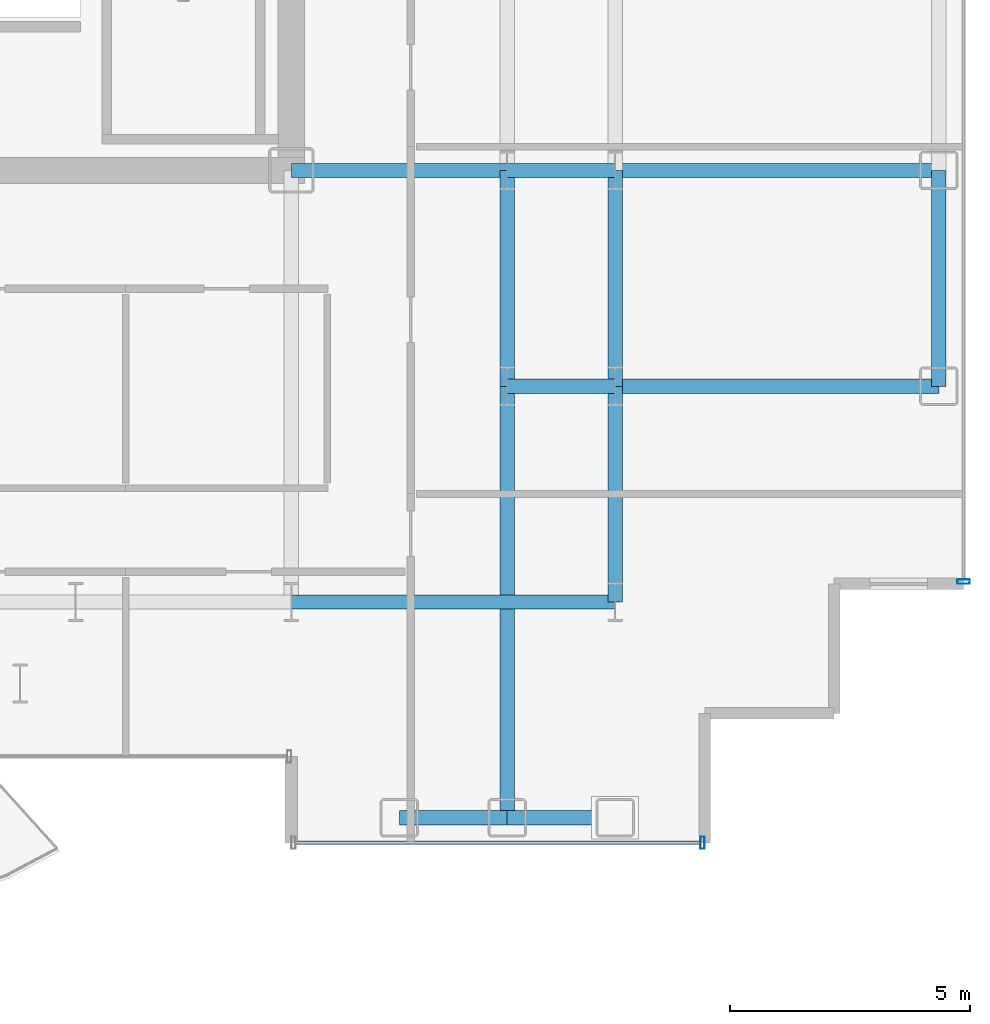
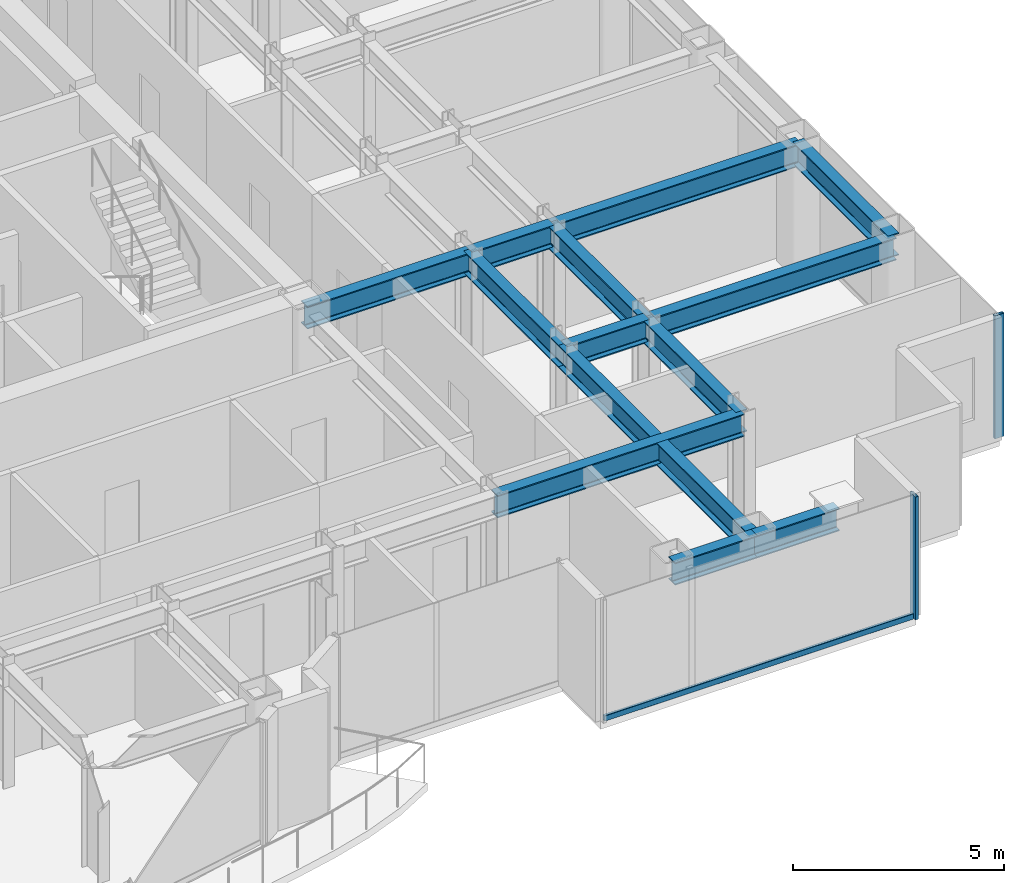
# One storey, part 8 of 22: 13 beams, 3 members, 2 elements without a shape of their own.
"""IFC4 building model written with IfcOpenShell, lengths in metres."""

from ifc_helpers import new_model, si_unit, direction, frame, origin, origin_2d, place, context, subcontext, project, spatial, hollow_rectangle, i_section, extrude, source, transform, mapped, material, layer, layer_set, material_profile, profile_set, type_object, element, aggregate, save


model = new_model("IFC4")

# Units and contexts
model_context = context("Model", 3, precision=1e-05, world=origin(), true_north=direction((0.0, 1.0)))
body_context = subcontext(model_context, "Body", "Model", "MODEL_VIEW")
ifc_project = project(units=[si_unit("LENGTHUNIT", "METRE"), si_unit("AREAUNIT", "SQUARE_METRE"), si_unit("VOLUMEUNIT", "CUBIC_METRE"), si_unit("PLANEANGLEUNIT", "RADIAN"), si_unit("MASSUNIT", "GRAM", prefix="KILO")], contexts=[model_context])

# Site, building, storey
site_placement = place(None, origin())
site = spatial("IfcSite", under=ifc_project, at=site_placement, CompositionType="ELEMENT")
building_placement = place(site_placement, origin())
building = spatial("IfcBuilding", under=site, at=building_placement, Name="Nefas-Gora Pilgrimage Tower", CompositionType="ELEMENT")
storey_placement = place(building_placement, frame((0.0, 0.0, 179.199951171875)))
storey = spatial("IfcBuildingStorey", under=building, at=storey_placement, Name="L44", CompositionType="ELEMENT", Elevation=179.199951171875)

# Beams
ifc_material_1 = material(Name="Steel S355", Category="steel")
ifc_material_profile_1 = material_profile(ifc_material_1, i_section(OverallWidth=0.300048828125, OverallDepth=0.64990234375, WebThickness=0.01611328125, FlangeThickness=0.031005859375, FilletRadius=0.027099609375, at=origin_2d()), Name="HEB 650")
ifc_profile_set_1 = profile_set([ifc_material_profile_1], Name="Steel S355")
beam_type_1 = type_object("IfcBeamType", Name="BM-SPN-HEB500", PredefinedType="SPANDREL", material=ifc_profile_set_1)
shared_shape_1 = source(origin(), body_context, "Body", "SweptSolid", [
    extrude(i_section(OverallWidth=0.300048828125, OverallDepth=0.64990234375, WebThickness=0.01611328125, FlangeThickness=0.031005859375, FilletRadius=0.027099609375, at=origin_2d()), origin(), (0.0, 0.0, 1.0), 4.5),
])
beam_1_placement = place(storey_placement, frame((24.75, -13.5, 3.22509765625), z_axis=(0.0, 1.0, 0.0), x_axis=(-1.0, 0.0, 0.0)))
element("IfcBeam", 1, at=beam_1_placement, inside=storey, type_object=beam_type_1, Name="L44 SP-02 beam", PredefinedType="SPANDREL", context=body_context, shape_type="MappedRepresentation", body=[
    mapped(shared_shape_1, transform((0.0, 0.0, 0.0), x_axis=(1.0, 0.0, 0.0), y_axis=(0.0, 1.0, 0.0), z_axis=(0.0, 0.0, 1.0), scale=1.0)),
])
ifc_material_profile_2 = material_profile(ifc_material_1, i_section(OverallWidth=0.300048828125, OverallDepth=0.64990234375, WebThickness=0.01611328125, FlangeThickness=0.031005859375, FilletRadius=0.027099609375, at=origin_2d()), Name="HEB 650")
ifc_profile_set_2 = profile_set([ifc_material_profile_2], Name="Steel S355")
beam_type_2 = type_object("IfcBeamType", Name="BM-GIR-HEB650", PredefinedType="BEAM", material=ifc_profile_set_2)
shared_shape_2 = source(origin(), body_context, "Body", "SweptSolid", [
    extrude(i_section(OverallWidth=0.300048828125, OverallDepth=0.64990234375, WebThickness=0.01611328125, FlangeThickness=0.031005859375, FilletRadius=0.027099609375, at=origin_2d()), origin(), (0.0, 0.0, 1.0), 9.0),
])
beam_2_placement = place(storey_placement, frame((15.75, -22.5, 3.22509765625), z_axis=(0.0, 1.0, 0.0), x_axis=(-1.0, 0.0, 0.0)))
element("IfcBeam", 2, at=beam_2_placement, inside=storey, type_object=beam_type_2, Name="L44 G-03 beam", PredefinedType="BEAM", context=body_context, shape_type="MappedRepresentation", body=[
    mapped(shared_shape_2, transform((0.0, 0.0, 0.0), x_axis=(1.0, 0.0, 0.0), y_axis=(0.0, 1.0, 0.0), z_axis=(0.0, 0.0, 1.0), scale=1.0)),
])
shared_shape_3 = source(origin(), body_context, "Body", "SweptSolid", [
    extrude(i_section(OverallWidth=0.300048828125, OverallDepth=0.64990234375, WebThickness=0.01611328125, FlangeThickness=0.031005859375, FilletRadius=0.027099609375, at=origin_2d()), origin(), (0.0, 0.0, 1.0), 4.5),
])
for number, where, z_axis, x_axis, name in (
    (3, (11.25, -9.0, 3.22509765625), (1.0, 0.0, 0.0), (0.0, 1.0, 0.0), "L44 G-03 beam"),
    (4, (15.75, -13.5, 3.22509765625), (0.0, 1.0, 0.0), (-1.0, 0.0, 0.0), "L44 G-03 beam"),
    (5, (18.0, -18.0, 3.22509765625), (0.0, 1.0, 0.0), (-1.0, 0.0, 0.0), "L44 G-03 beam"),
    (6, (18.0, -13.5, 3.22509765625), (0.0, 1.0, 0.0), (-1.0, 0.0, 0.0), "L44 G-03 beam"),
):
    element("IfcBeam", number, at=place(storey_placement, frame(where, z_axis=z_axis, x_axis=x_axis)), inside=storey, type_object=beam_type_2, Name=name, PredefinedType="BEAM", context=body_context, shape_type="MappedRepresentation", body=[
        mapped(shared_shape_3, transform((0.0, 0.0, 0.0), x_axis=(1.0, 0.0, 0.0), y_axis=(0.0, 1.0, 0.0), z_axis=(0.0, 0.0, 1.0), scale=1.0)),
    ])
shared_shape_4 = source(origin(), body_context, "Body", "SweptSolid", [
    extrude(i_section(OverallWidth=0.300048828125, OverallDepth=0.64990234375, WebThickness=0.01611328125, FlangeThickness=0.031005859375, FilletRadius=0.027099609375, at=origin_2d()), origin(), (0.0, 0.0, 1.0), 6.75),
])
for number, where, z_axis, x_axis, name in (
    (7, (11.25, -18.0, 3.22509765625), (1.0, 0.0, 0.0), (0.0, 1.0, 0.0), "L44 G-03 beam"),
    (8, (18.0, -13.5, 3.22509765625), (1.0, 0.0, 0.0), (0.0, 1.0, 0.0), "L44 G-03 beam"),
    (9, (18.0, -9.0, 3.22509765625), (1.0, 0.0, 0.0), (0.0, 1.0, 0.0), "L44 G-03 beam"),
):
    element("IfcBeam", number, at=place(storey_placement, frame(where, z_axis=z_axis, x_axis=x_axis)), inside=storey, type_object=beam_type_2, Name=name, PredefinedType="BEAM", context=body_context, shape_type="MappedRepresentation", body=[
        mapped(shared_shape_4, transform((0.0, 0.0, 0.0), x_axis=(1.0, 0.0, 0.0), y_axis=(0.0, 1.0, 0.0), z_axis=(0.0, 0.0, 1.0), scale=1.0)),
    ])
shared_shape_5 = source(origin(), body_context, "Body", "SweptSolid", [
    extrude(i_section(OverallWidth=0.300048828125, OverallDepth=0.64990234375, WebThickness=0.01611328125, FlangeThickness=0.031005859375, FilletRadius=0.027099609375, at=origin_2d()), origin(), (0.0, 0.0, 1.0), 2.25),
])
for number, where, z_axis, x_axis, name in (
    (10, (13.5, -22.5, 3.22509765625), (1.0, 0.0, 0.0), (0.0, 1.0, 0.0), "L44 SP-02 beam"),
    (11, (15.75, -22.5, 3.22509765625), (1.0, 0.0, 0.0), (0.0, 1.0, 0.0), "L44 SP-02 beam"),
):
    element("IfcBeam", number, at=place(storey_placement, frame(where, z_axis=z_axis, x_axis=x_axis)), inside=storey, type_object=beam_type_1, Name=name, PredefinedType="SPANDREL", context=body_context, shape_type="MappedRepresentation", body=[
        mapped(shared_shape_5, transform((0.0, 0.0, 0.0), x_axis=(1.0, 0.0, 0.0), y_axis=(0.0, 1.0, 0.0), z_axis=(0.0, 0.0, 1.0), scale=1.0)),
    ])
shared_shape_6 = source(origin(), body_context, "Body", "SweptSolid", [
    extrude(i_section(OverallWidth=0.300048828125, OverallDepth=0.64990234375, WebThickness=0.01611328125, FlangeThickness=0.031005859375, FilletRadius=0.027099609375, at=origin_2d()), origin(), (0.0, 0.0, 1.0), 2.25),
])
for number, where, z_axis, x_axis, name in (
    (12, (15.75, -13.5, 3.22509765625), (1.0, 0.0, 0.0), (0.0, 1.0, 0.0), "L44 G-03 beam"),
    (13, (15.75, -9.0, 3.22509765625), (1.0, 0.0, 0.0), (0.0, 1.0, 0.0), "L44 G-03 beam"),
):
    element("IfcBeam", number, at=place(storey_placement, frame(where, z_axis=z_axis, x_axis=x_axis)), inside=storey, type_object=beam_type_2, Name=name, PredefinedType="BEAM", context=body_context, shape_type="MappedRepresentation", body=[
        mapped(shared_shape_6, transform((0.0, 0.0, 0.0), x_axis=(1.0, 0.0, 0.0), y_axis=(0.0, 1.0, 0.0), z_axis=(0.0, 0.0, 1.0), scale=1.0)),
    ])

# Curtain wall, member
ifc_material_2 = material(Name="Dark ceramic-fritted solar-control aluminium-glass curtain wall", Category="aluminium")
ifc_layer = layer(ifc_material_2, 0.219970703125)
ifc_layer_set = layer_set([ifc_layer], Name="Dark ceramic-fritted solar-control aluminium-glass curtain wall")
curtain_wall_type = type_object("IfcCurtainWallType", Name="CW-SYS-3", PredefinedType="NOTDEFINED", material=ifc_layer_set)
curtain_wall_1_placement = place(storey_placement, origin())
curtain_wall_1 = element("IfcCurtainWall", 14, at=curtain_wall_1_placement, inside=storey, type_object=curtain_wall_type, Name="L44 Unitised Curtain Wall CW3", PredefinedType="NOTDEFINED")
ifc_material_3 = material(Name="Anodised architectural aluminium", Category="aluminium")
ifc_material_profile_3 = material_profile(ifc_material_3, hollow_rectangle(XDim=0.090087890625, YDim=0.260009765625, WallThickness=0.006103515625, InnerFilletRadius=0.006103515625, OuterFilletRadius=0.011962890625, at=origin_2d()), Name="ALU MULLION 90x260")
ifc_profile_set_3 = profile_set([ifc_material_profile_3], Name="Anodised architectural aluminium")
member_type_1 = type_object("IfcMemberType", Name="CWM-MUL-3", PredefinedType="MULLION", material=ifc_profile_set_3)
shared_shape_7 = source(origin(), body_context, "Body", "SweptSolid", [
    extrude(hollow_rectangle(XDim=0.090087890625, YDim=0.260009765625, WallThickness=0.006103515625, InnerFilletRadius=0.006103515625, OuterFilletRadius=0.011962890625, at=origin_2d()), origin(), (0.0, 0.0, 1.0), 3.550048828125),
])
member_1_placement = place(storey_placement, frame((19.824951171875, -23.02001953125, 0.0), z_axis=(0.0, 0.0, 1.0), x_axis=(1.0, 0.0, 0.0)))
member_1 = element("IfcMember", 15, at=member_1_placement, type_object=member_type_1, Name="CW3 Mullion 2", PredefinedType="MULLION", context=body_context, shape_type="MappedRepresentation", body=[
    mapped(shared_shape_7, transform((0.0, 0.0, 0.0), x_axis=(1.0, 0.0, 0.0), y_axis=(0.0, 1.0, 0.0), z_axis=(0.0, 0.0, 1.0), scale=1.0)),
])

curtain_wall_2_placement = place(storey_placement, origin())
curtain_wall_2 = element("IfcCurtainWall", 16, at=curtain_wall_2_placement, inside=storey, type_object=curtain_wall_type, Name="L44 Unitised Curtain Wall CW3", PredefinedType="NOTDEFINED")
member_2_placement = place(storey_placement, frame((25.27001953125, -17.574951171875, 0.0), z_axis=(0.0, 0.0, 1.0), x_axis=(0.0, 1.0, 0.0)))
member_2 = element("IfcMember", 17, at=member_2_placement, type_object=member_type_1, Name="CW3 Mullion 1", PredefinedType="MULLION", context=body_context, shape_type="MappedRepresentation", body=[
    mapped(shared_shape_7, transform((0.0, 0.0, 0.0), x_axis=(1.0, 0.0, 0.0), y_axis=(0.0, 1.0, 0.0), z_axis=(0.0, 0.0, 1.0), scale=1.0)),
])
aggregate(curtain_wall_2, [member_2])

# Member
ifc_material_profile_4 = material_profile(ifc_material_3, hollow_rectangle(XDim=0.080078125, YDim=0.159912109375, WallThickness=0.00439453125, InnerFilletRadius=0.00439453125, OuterFilletRadius=0.009033203125, at=origin_2d()), Name="ALU TRANSOM 80x160")
ifc_profile_set_4 = profile_set([ifc_material_profile_4], Name="Anodised architectural aluminium")
member_type_2 = type_object("IfcMemberType", Name="CWM-TRN-3", PredefinedType="USERDEFINED", material=ifc_profile_set_4)
shared_shape_8 = source(origin(), body_context, "Body", "SweptSolid", [
    extrude(hollow_rectangle(XDim=0.080078125, YDim=0.159912109375, WallThickness=0.00439453125, InnerFilletRadius=0.00439453125, OuterFilletRadius=0.009033203125, at=origin_2d()), origin(), (0.0, 0.0, 1.0), 8.43994140625),
])
member_3_placement = place(storey_placement, frame((11.340087890625, -23.02001953125, 0.050048828125), z_axis=(1.0, 0.0, 0.0), x_axis=(0.0, 1.0, 0.0)))
member_3 = element("IfcMember", 18, at=member_3_placement, type_object=member_type_2, Name="CW3 Spandrel Transom", ObjectType="TRANSOM", PredefinedType="USERDEFINED", context=body_context, shape_type="MappedRepresentation", body=[
    mapped(shared_shape_8, transform((0.0, 0.0, 0.0), x_axis=(1.0, 0.0, 0.0), y_axis=(0.0, 1.0, 0.0), z_axis=(0.0, 0.0, 1.0), scale=1.0)),
])

aggregate(curtain_wall_1, [member_1, member_3])

save(model, "model.ifc")
